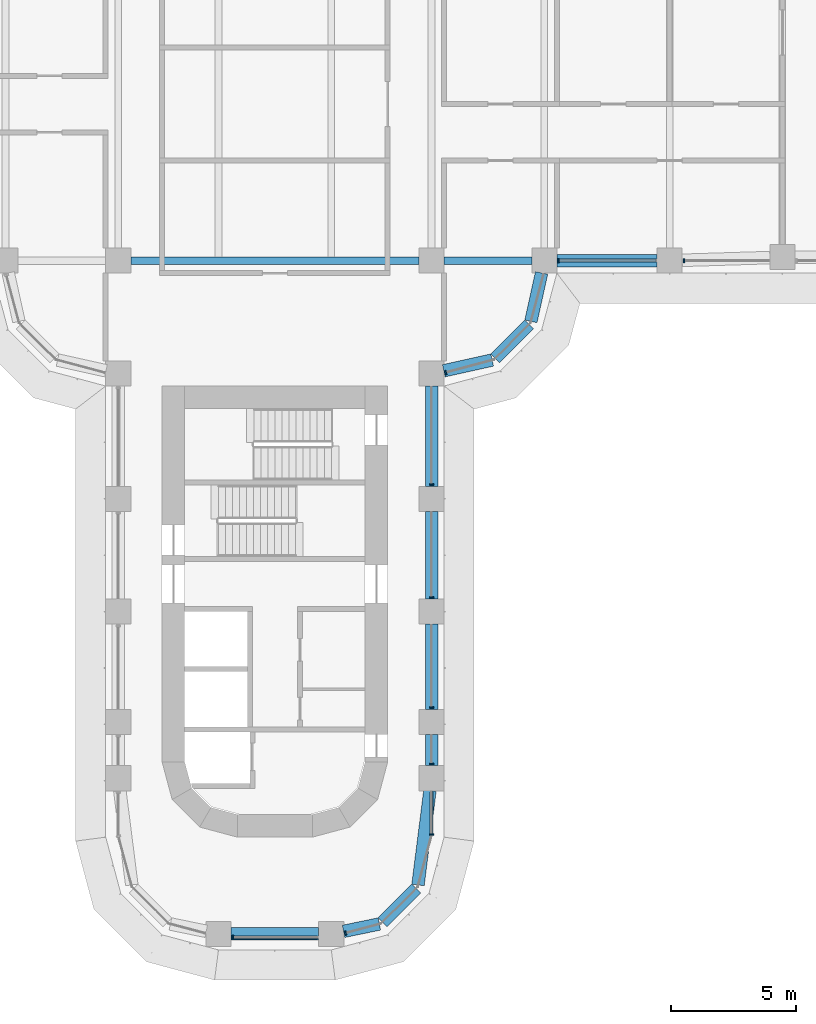
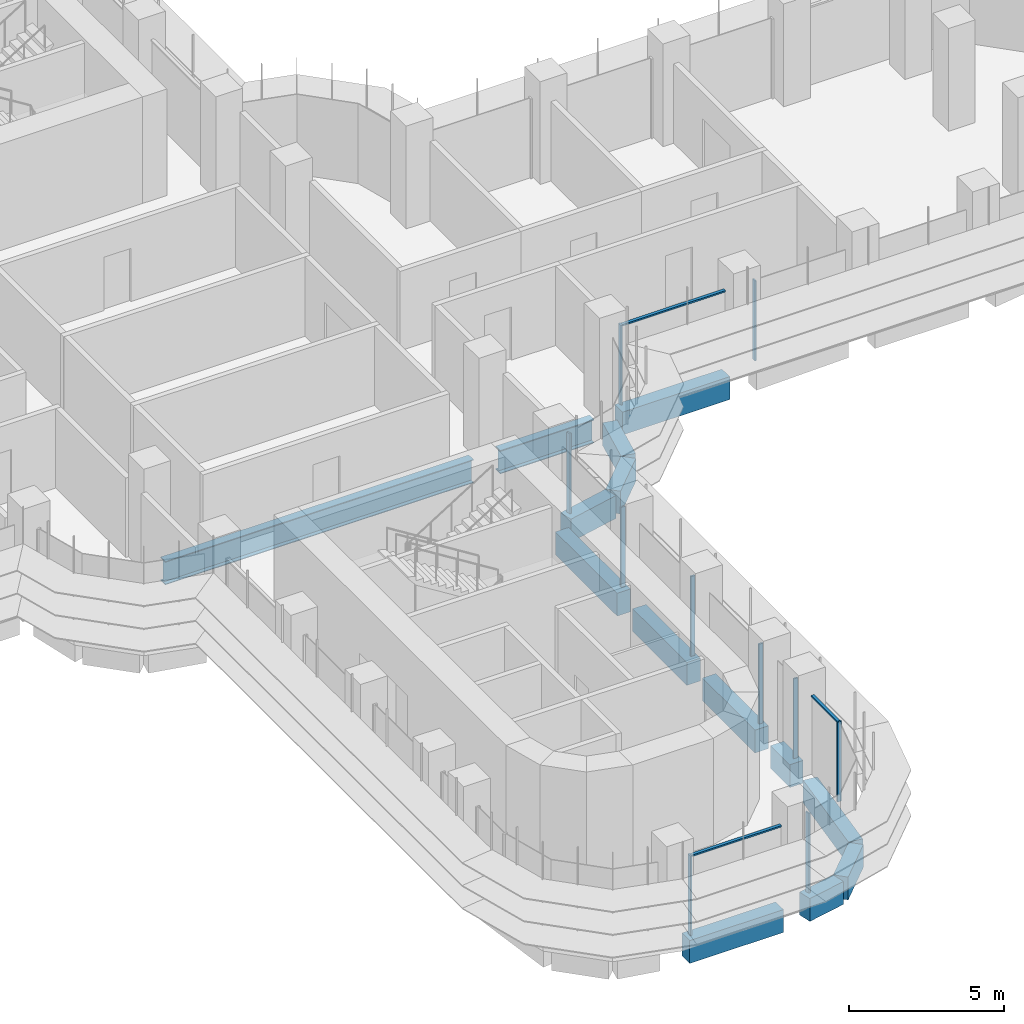
# One storey, part 4 of 23: 14 beams, 13 members, 5 elements without a shape of their own.
"""IFC4 building model written with IfcOpenShell, lengths in metres."""

from ifc_helpers import new_model, si_unit, direction, frame, origin, origin_2d, place, context, subcontext, project, spatial, polyline, rectangle, i_section, outline, extrude, source, transform, mapped, material, material_profile, profile_set, type_object, element, aggregate, save


model = new_model("IFC4")

# Units and contexts
model_context = context("Model", 3, precision=1e-05, world=origin(), true_north=direction((0.0, 1.0)))
body_context = subcontext(model_context, "Body", "Model", "MODEL_VIEW")
ifc_project = project(units=[si_unit("LENGTHUNIT", "METRE"), si_unit("AREAUNIT", "SQUARE_METRE"), si_unit("VOLUMEUNIT", "CUBIC_METRE"), si_unit("PLANEANGLEUNIT", "RADIAN"), si_unit("MASSUNIT", "GRAM", prefix="KILO")], contexts=[model_context])

# Site, building, storey
site_placement = place(None, origin())
site = spatial("IfcSite", under=ifc_project, at=site_placement, CompositionType="ELEMENT")
building_placement = place(site_placement, origin())
building = spatial("IfcBuilding", under=site, at=building_placement, Name="Zarbagh Exchange Tower", CompositionType="ELEMENT")
storey_placement = place(building_placement, frame((0.0, 0.0, 73.199951171875)))
storey = spatial("IfcBuildingStorey", under=building, at=storey_placement, Name="L16", CompositionType="ELEMENT", Elevation=73.199951171875)

# Beams
ifc_material_1 = material(Name="Steel ASTM A992 Gr 50", Category="steel")
ifc_material_profile_1 = material_profile(ifc_material_1, i_section(OverallWidth=0.3046875, OverallDepth=0.91943359375, WebThickness=0.017333984375, FlangeThickness=0.02783203125, at=origin_2d()), Name="W36X170")
ifc_profile_set_1 = profile_set([ifc_material_profile_1], Name="Steel ASTM A992 Gr 50")
beam_type_1 = type_object("IfcBeamType", Name="Floor girder W36X170", PredefinedType="BEAM", material=ifc_profile_set_1)
beam_1_placement = place(storey_placement, frame((-5.75, -6.25, -0.609619140625), z_axis=(1.0, 0.0, 0.0), x_axis=(0.0, 1.0, 0.0)))
element("IfcBeam", 1, at=beam_1_placement, inside=storey, type_object=beam_type_1, Name="Steel girder", PredefinedType="BEAM", context=body_context, shape_type="SweptSolid", body=[
    extrude(i_section(OverallWidth=0.3046875, OverallDepth=0.91943359375, WebThickness=0.017333984375, FlangeThickness=0.02783203125, at=origin_2d()), origin(), (0.0, 0.0, 1.0), 11.5),
])
beam_2_placement = place(storey_placement, frame((6.75, -6.25, -0.609619140625), z_axis=(1.0, 0.0, 0.0), x_axis=(0.0, 1.0, 0.0)))
element("IfcBeam", 2, at=beam_2_placement, inside=storey, type_object=beam_type_1, Name="Steel girder", PredefinedType="BEAM", context=body_context, shape_type="SweptSolid", body=[
    extrude(i_section(OverallWidth=0.3046875, OverallDepth=0.91943359375, WebThickness=0.017333984375, FlangeThickness=0.02783203125, at=origin_2d()), origin(), (0.0, 0.0, 1.0), 3.5),
])
ifc_material_2 = material(Name="Concrete C60/75", Category="concrete")
ifc_material_profile_2 = material_profile(ifc_material_2, rectangle(XDim=0.5, YDim=0.89990234375, at=origin_2d()), Name="RC spandrel beam 500 x 900 C60/75")
ifc_profile_set_2 = profile_set([ifc_material_profile_2], Name="Concrete C60/75")
beam_type_2 = type_object("IfcBeamType", Name="RC spandrel beam 500 x 900 C60/75", PredefinedType="SPANDREL", material=ifc_profile_set_2)
beam_3_placement = place(storey_placement, frame((15.25, -6.25, -0.599853515625), z_axis=(-1.0, 0.0, 0.0), x_axis=(0.0, -1.0, 0.0)))
element("IfcBeam", 3, at=beam_3_placement, inside=storey, type_object=beam_type_2, Name="RC spandrel beam", PredefinedType="SPANDREL", context=body_context, shape_type="SweptSolid", body=[
    extrude(rectangle(XDim=0.5, YDim=0.89990234375, at=origin_2d()), origin(), (0.0, 0.0, 1.0), 4.0),
])
beam_4_placement = place(storey_placement, frame((10.64208984375, -6.73828125, -0.599853515625), z_axis=(-0.216081063242, -0.976375426825, 0.0), x_axis=(0.976375426825, -0.216081063242, 0.0)))
element("IfcBeam", 4, at=beam_4_placement, inside=storey, type_object=beam_type_2, Name="RC spandrel beam", PredefinedType="SPANDREL", context=body_context, shape_type="SweptSolid", body=[
    extrude(rectangle(XDim=0.5, YDim=0.89990234375, at=origin_2d()), origin(), (0.0, 0.0, 1.0), 1.978271484375),
])
beam_5_placement = place(storey_placement, frame((10.147216796875, -8.792724609375, -0.599853515625), z_axis=(-0.707106781187, -0.707106781187, 0.0), x_axis=(0.707106781187, -0.707106781187, 0.0)))
element("IfcBeam", 5, at=beam_5_placement, inside=storey, type_object=beam_type_2, Name="RC spandrel beam", PredefinedType="SPANDREL", context=body_context, shape_type="SweptSolid", body=[
    extrude(rectangle(XDim=0.5, YDim=0.89990234375, at=origin_2d()), origin(), (0.0, 0.0, 1.0), 1.91552734375),
])
beam_6_placement = place(storey_placement, frame((8.669921875, -10.214599609375, -0.599853515625), z_axis=(-0.976375426825, -0.216081063242, 0.0), x_axis=(0.216081063242, -0.976375426825, 0.0)))
element("IfcBeam", 6, at=beam_6_placement, inside=storey, type_object=beam_type_2, Name="RC spandrel beam", PredefinedType="SPANDREL", context=body_context, shape_type="SweptSolid", body=[
    extrude(rectangle(XDim=0.5, YDim=0.89990234375, at=origin_2d()), origin(), (0.0, 0.0, 1.0), 1.978271484375),
])
beam_7_placement = place(storey_placement, frame((6.25, -11.25, -0.599853515625), z_axis=(0.0, -1.0, 0.0), x_axis=(1.0, 0.0, 0.0)))
element("IfcBeam", 7, at=beam_7_placement, inside=storey, type_object=beam_type_2, Name="RC spandrel beam", PredefinedType="SPANDREL", context=body_context, shape_type="SweptSolid", body=[
    extrude(rectangle(XDim=0.5, YDim=0.89990234375, at=origin_2d()), origin(), (0.0, 0.0, 1.0), 4.0),
])
beam_8_placement = place(storey_placement, frame((6.25, -16.25, -0.599853515625), z_axis=(0.0, -1.0, 0.0), x_axis=(1.0, 0.0, 0.0)))
element("IfcBeam", 8, at=beam_8_placement, inside=storey, type_object=beam_type_2, Name="RC spandrel beam", PredefinedType="SPANDREL", context=body_context, shape_type="SweptSolid", body=[
    extrude(rectangle(XDim=0.5, YDim=0.89990234375, at=origin_2d()), origin(), (0.0, 0.0, 1.0), 3.5),
])
beam_9_placement = place(storey_placement, frame((6.25, -20.75, -0.599853515625), z_axis=(0.0, -1.0, 0.0), x_axis=(1.0, 0.0, 0.0)))
element("IfcBeam", 9, at=beam_9_placement, inside=storey, type_object=beam_type_2, Name="RC spandrel beam", PredefinedType="SPANDREL", context=body_context, shape_type="SweptSolid", body=[
    extrude(rectangle(XDim=0.5, YDim=0.89990234375, at=origin_2d()), origin(), (0.0, 0.0, 1.0), 3.39990234375),
])
beam_10_placement = place(storey_placement, frame((6.25, -25.14990234375, -0.599853515625), z_axis=(0.0, -1.0, 0.0), x_axis=(1.0, 0.0, 0.0)))
element("IfcBeam", 10, at=beam_10_placement, inside=storey, type_object=beam_type_2, Name="RC spandrel beam", PredefinedType="SPANDREL", context=body_context, shape_type="SweptSolid", body=[
    extrude(rectangle(XDim=0.5, YDim=0.89990234375, at=origin_2d()), origin(), (0.0, 0.0, 1.0), 1.25),
])
beam_11_placement = place(storey_placement, frame((6.18701171875, -27.39599609375, -0.599853515625), z_axis=(-0.12591317752, -0.992041265133, 0.0), x_axis=(0.992041265133, -0.12591317752, 0.0)))
element("IfcBeam", 11, at=beam_11_placement, inside=storey, type_object=beam_type_2, Name="RC spandrel beam", PredefinedType="SPANDREL", context=body_context, shape_type="SweptSolid", body=[
    extrude(rectangle(XDim=0.5, YDim=0.89990234375, at=origin_2d()), origin(), (0.0, 0.0, 1.0), 3.790771484375),
])
beam_12_placement = place(storey_placement, frame((5.638427734375, -31.301513671875, -0.599853515625), z_axis=(-0.707042571718, -0.707170984825, 0.0), x_axis=(0.707170984825, -0.707042571718, 0.0)))
element("IfcBeam", 12, at=beam_12_placement, inside=storey, type_object=beam_type_2, Name="RC spandrel beam", PredefinedType="SPANDREL", context=body_context, shape_type="SweptSolid", body=[
    extrude(rectangle(XDim=0.5, YDim=0.89990234375, at=origin_2d()), origin(), (0.0, 0.0, 1.0), 1.901123046875),
])
beam_13_placement = place(storey_placement, frame((4.16796875, -32.714111328125, -0.599853515625), z_axis=(-0.9793713725, -0.202068589164, 0.0), x_axis=(0.202068589164, -0.9793713725, 0.0)))
element("IfcBeam", 13, at=beam_13_placement, inside=storey, type_object=beam_type_2, Name="RC spandrel beam", PredefinedType="SPANDREL", context=body_context, shape_type="SweptSolid", body=[
    extrude(rectangle(XDim=0.5, YDim=0.89990234375, at=origin_2d()), origin(), (0.0, 0.0, 1.0), 1.458251953125),
])
beam_14_placement = place(storey_placement, frame((1.75, -33.110107421875, -0.599853515625), z_axis=(-1.0, 0.0, 0.0), x_axis=(0.0, -1.0, 0.0)))
element("IfcBeam", 14, at=beam_14_placement, inside=storey, type_object=beam_type_2, Name="RC spandrel beam", PredefinedType="SPANDREL", context=body_context, shape_type="SweptSolid", body=[
    extrude(rectangle(XDim=0.5, YDim=0.89990234375, at=origin_2d()), origin(), (0.0, 0.0, 1.0), 3.5),
])

# Curtain wall, member
ifc_material_3 = material(Name="Anodised aluminium frame and glazing", Category="aluminium")
curtain_wall_type = type_object("IfcCurtainWallType", Name="CWA Ribbon glazing, lower zones", PredefinedType="NOTDEFINED", material=ifc_material_3)
curtain_wall_1_placement = place(storey_placement, origin())
curtain_wall_1 = element("IfcCurtainWall", 15, at=curtain_wall_1_placement, inside=storey, type_object=curtain_wall_type, Name="CWA01 curtain wall", PredefinedType="NOTDEFINED")
ifc_material_4 = material(Name="Anodised aluminium frame", Category="aluminium")
member_type_1 = type_object("IfcMemberType", Name="MUA Mullion, anodised aluminium frame", PredefinedType="MULLION", material=ifc_material_4)
shared_shape_1 = source(origin(), body_context, "Body", "SweptSolid", [
    extrude(outline(polyline([(0.0, -0.080078125), (0.06005859375, -0.080078125), (0.06005859375, 0.080078125), (0.0, 0.080078125), (0.0, -0.080078125)])), origin(), (0.0, 0.0, 1.0), 3.14990234375),
])
placement = place(storey_placement, origin())
member_1 = element("IfcMember", 16, at=placement, type_object=member_type_1, Name="CWA01 mullion 1.1", PredefinedType="MULLION", context=body_context, shape_type="MappedRepresentation", body=[
    mapped(shared_shape_1, transform((2.7900390625, -33.087646484375, 0.0), x_axis=(0.965924289636, 0.258824779902, 0.0), y_axis=(-0.258824779902, 0.965924289636, 0.0), z_axis=(0.0, 0.0, 1.0))),
])
aggregate(curtain_wall_1, [member_1])

# Curtain wall, members
curtain_wall_2_placement = place(storey_placement, origin())
curtain_wall_2 = element("IfcCurtainWall", 17, at=curtain_wall_2_placement, inside=storey, type_object=curtain_wall_type, Name="CWA04 curtain wall", PredefinedType="NOTDEFINED")
member_2 = element("IfcMember", 18, at=placement, type_object=member_type_1, Name="CWA04 mullion 1.1", PredefinedType="MULLION", context=body_context, shape_type="MappedRepresentation", body=[
    mapped(shared_shape_1, transform((6.25, -29.18408203125, 0.0), x_axis=(0.0, 1.0, 0.0), y_axis=(-1.0, 0.0, 0.0), z_axis=(0.0, 0.0, 1.0))),
])
member_3 = element("IfcMember", 19, at=placement, type_object=member_type_1, Name="CWA04 mullion 2.1", PredefinedType="MULLION", context=body_context, shape_type="MappedRepresentation", body=[
    mapped(shared_shape_1, transform((6.25, -26.35986328125, 0.0), x_axis=(0.0, 1.0, 0.0), y_axis=(-1.0, 0.0, 0.0), z_axis=(0.0, 0.0, 1.0))),
])
member_4 = element("IfcMember", 20, at=placement, type_object=member_type_1, Name="CWA04 mullion 3.1", PredefinedType="MULLION", context=body_context, shape_type="MappedRepresentation", body=[
    mapped(shared_shape_1, transform((6.25, -24.10986328125, 0.0), x_axis=(0.0, 1.0, 0.0), y_axis=(-1.0, 0.0, 0.0), z_axis=(0.0, 0.0, 1.0))),
])
member_5 = element("IfcMember", 21, at=placement, type_object=member_type_1, Name="CWA04 mullion 4.1", PredefinedType="MULLION", context=body_context, shape_type="MappedRepresentation", body=[
    mapped(shared_shape_1, transform((6.25, -19.7099609375, 0.0), x_axis=(0.0, 1.0, 0.0), y_axis=(-1.0, 0.0, 0.0), z_axis=(0.0, 0.0, 1.0))),
])
member_6 = element("IfcMember", 22, at=placement, type_object=member_type_1, Name="CWA04 mullion 5.1", PredefinedType="MULLION", context=body_context, shape_type="MappedRepresentation", body=[
    mapped(shared_shape_1, transform((6.25, -15.2099609375, 0.0), x_axis=(0.0, 1.0, 0.0), y_axis=(-1.0, 0.0, 0.0), z_axis=(0.0, 0.0, 1.0))),
])

# Curtain wall, member
curtain_wall_3_placement = place(storey_placement, origin())
curtain_wall_3 = element("IfcCurtainWall", 23, at=curtain_wall_3_placement, inside=storey, type_object=curtain_wall_type, Name="CWA05 curtain wall", PredefinedType="NOTDEFINED")
member_7 = element("IfcMember", 24, at=placement, type_object=member_type_1, Name="CWA05 mullion 1.1", PredefinedType="MULLION", context=body_context, shape_type="MappedRepresentation", body=[
    mapped(shared_shape_1, transform((6.7900390625, -10.7216796875, 0.0), x_axis=(0.965924289636, 0.258824779902, 0.0), y_axis=(-0.258824779902, 0.965924289636, 0.0), z_axis=(0.0, 0.0, 1.0))),
])
aggregate(curtain_wall_3, [member_7])

# Curtain wall, members
curtain_wall_4_placement = place(storey_placement, origin())
curtain_wall_4 = element("IfcCurtainWall", 25, at=curtain_wall_4_placement, inside=storey, type_object=curtain_wall_type, Name="CWA08 curtain wall", PredefinedType="NOTDEFINED")
member_8 = element("IfcMember", 26, at=placement, type_object=member_type_1, Name="CWA08 mullion 1.1", PredefinedType="MULLION", context=body_context, shape_type="MappedRepresentation", body=[
    mapped(shared_shape_1, transform((11.2900390625, -6.25, 0.0), x_axis=(1.0, 0.0, 0.0), y_axis=(0.0, 1.0, 0.0), z_axis=(0.0, 0.0, 1.0))),
])
member_9 = element("IfcMember", 27, at=placement, type_object=member_type_1, Name="CWA08 mullion 2.1", PredefinedType="MULLION", context=body_context, shape_type="MappedRepresentation", body=[
    mapped(shared_shape_1, transform((16.2900390625, -6.25, 0.0), x_axis=(1.0, 0.0, 0.0), y_axis=(0.0, 1.0, 0.0), z_axis=(0.0, 0.0, 1.0))),
])

# Curtain wall, member
curtain_wall_5_placement = place(storey_placement, origin())
curtain_wall_5 = element("IfcCurtainWall", 28, at=curtain_wall_5_placement, inside=storey, type_object=curtain_wall_type, Name="CWA48 curtain wall", PredefinedType="NOTDEFINED")
member_10 = element("IfcMember", 29, at=placement, type_object=member_type_1, Name="CWA48 mullion 1.1", PredefinedType="MULLION", context=body_context, shape_type="MappedRepresentation", body=[
    mapped(shared_shape_1, transform((-1.7099609375, -33.25, 0.0), x_axis=(1.0, 0.0, 0.0), y_axis=(0.0, 1.0, 0.0), z_axis=(0.0, 0.0, 1.0))),
])

# Member
member_type_2 = type_object("IfcMemberType", Name="TRA Transom, anodised aluminium frame", PredefinedType="USERDEFINED", material=ifc_material_4)
shared_shape_2 = source(origin(), body_context, "Body", "SweptSolid", [
    extrude(outline(polyline([(-0.06005859375, -0.06005859375), (0.0, -0.06005859375), (0.0, 0.06005859375), (-0.06005859375, 0.06005859375), (-0.06005859375, -0.06005859375)])), origin(), (0.0, 0.0, 1.0), 1.68408203125),
])
member_11 = element("IfcMember", 30, at=placement, type_object=member_type_2, Name="CWA04 transom 1.1", ObjectType="TRANSOM", PredefinedType="USERDEFINED", context=body_context, shape_type="MappedRepresentation", body=[
    mapped(shared_shape_2, transform((6.25, -29.124267578125, 3.150146484375), x_axis=(0.0, 0.0, 1.0), y_axis=(1.0, 0.0, 0.0), z_axis=(0.0, 1.0, 0.0))),
])

aggregate(curtain_wall_2, [member_2, member_11, member_3, member_4, member_5, member_6])

shared_shape_3 = source(origin(), body_context, "Body", "SweptSolid", [
    extrude(outline(polyline([(-0.06005859375, -0.06005859375), (0.0, -0.06005859375), (0.0, 0.06005859375), (-0.06005859375, 0.06005859375), (-0.06005859375, -0.06005859375)])), origin(), (0.0, 0.0, 1.0), 3.860107421875),
])
member_12 = element("IfcMember", 31, at=placement, type_object=member_type_2, Name="CWA08 transom 1.1", ObjectType="TRANSOM", PredefinedType="USERDEFINED", context=body_context, shape_type="MappedRepresentation", body=[
    mapped(shared_shape_3, transform((11.35009765625, -6.25, 3.150146484375), x_axis=(0.0, 0.0, 1.0), y_axis=(0.0, -1.0, 0.0), z_axis=(1.0, 0.0, 0.0))),
])

aggregate(curtain_wall_4, [member_8, member_12, member_9])

shared_shape_4 = source(origin(), body_context, "Body", "SweptSolid", [
    extrude(outline(polyline([(-0.06005859375, -0.06005859375), (0.0, -0.06005859375), (0.0, 0.06005859375), (-0.06005859375, 0.06005859375), (-0.06005859375, -0.06005859375)])), origin(), (0.0, 0.0, 1.0), 3.360107421875),
])
member_13 = element("IfcMember", 32, at=placement, type_object=member_type_2, Name="CWA48 transom 1.1", ObjectType="TRANSOM", PredefinedType="USERDEFINED", context=body_context, shape_type="MappedRepresentation", body=[
    mapped(shared_shape_4, transform((-1.64990234375, -33.25, 3.150146484375), x_axis=(0.0, 0.0, 1.0), y_axis=(0.0, -1.0, 0.0), z_axis=(1.0, 0.0, 0.0))),
])

aggregate(curtain_wall_5, [member_10, member_13])

save(model, "model.ifc")
